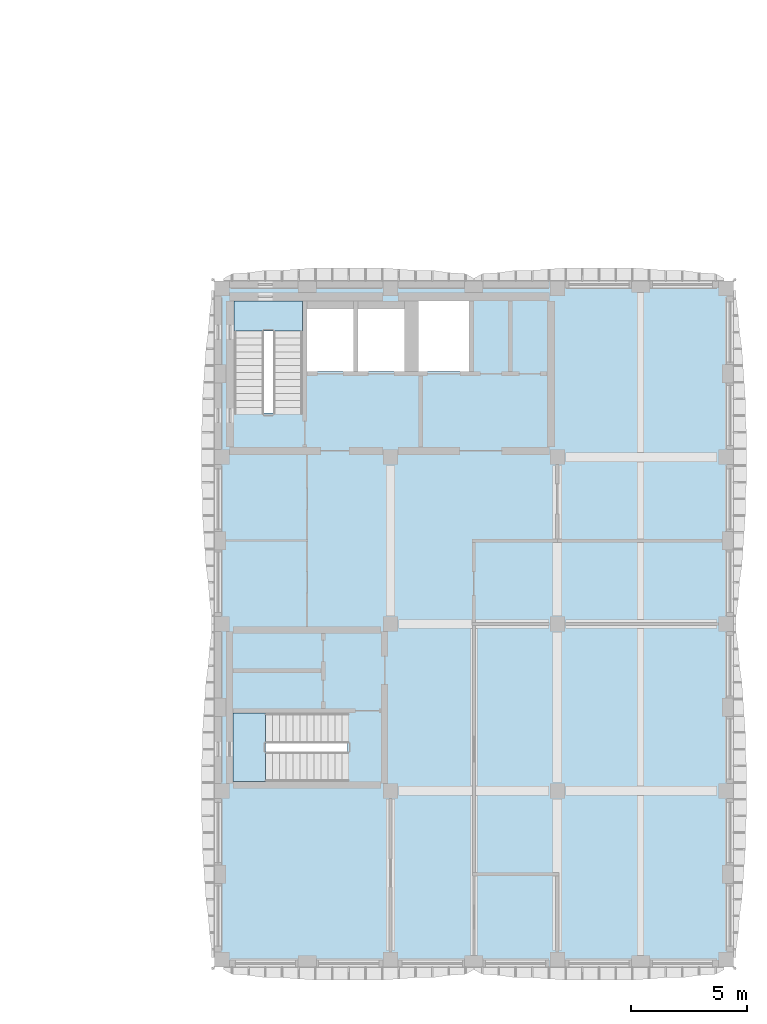
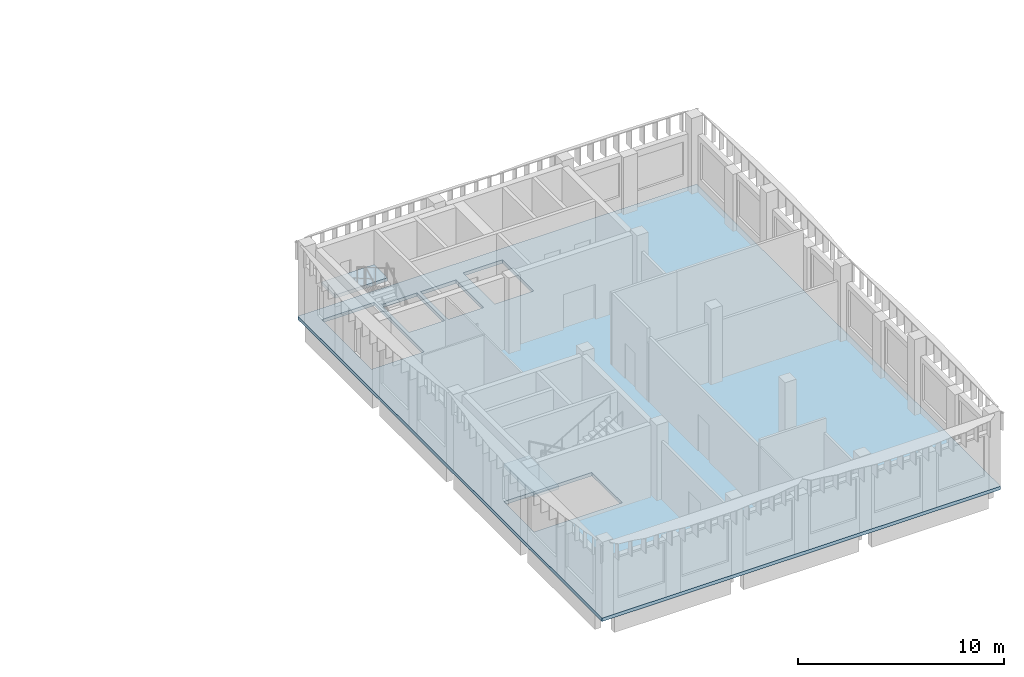
# One storey, part 10 of 30: 3 slabs, 2 elements without a shape of their own.
"""IFC4 building model written with IfcOpenShell, lengths in metres."""

from ifc_helpers import new_model, si_unit, direction, frame, origin, place, context, subcontext, project, spatial, polyline, outline, extrude, material, layer, layer_set, type_object, element, aggregate, save


model = new_model("IFC4")

# Units and contexts
model_context = context("Model", 3, precision=1e-05, world=origin(), true_north=direction((0.0, 1.0)))
body_context = subcontext(model_context, "Body", "Model", "MODEL_VIEW")
ifc_project = project(units=[si_unit("LENGTHUNIT", "METRE"), si_unit("AREAUNIT", "SQUARE_METRE"), si_unit("VOLUMEUNIT", "CUBIC_METRE"), si_unit("PLANEANGLEUNIT", "RADIAN"), si_unit("MASSUNIT", "GRAM", prefix="KILO")], contexts=[model_context])

# Site, building, storey
site_placement = place(None, origin())
site = spatial("IfcSite", under=ifc_project, at=site_placement, CompositionType="ELEMENT")
building_placement = place(site_placement, origin())
building = spatial("IfcBuilding", under=site, at=building_placement, Name="Ussher Court Research Institute", CompositionType="ELEMENT")
storey_placement = place(building_placement, frame((0.0, 0.0, 27.89990234375)))
storey = spatial("IfcBuildingStorey", under=building, at=storey_placement, Name="L06", CompositionType="ELEMENT", Elevation=27.89990234375)

# Slab
ifc_material_1 = material(Name="Concrete C35/45", Category="concrete")
ifc_layer_1 = layer(ifc_material_1, 0.199951171875)
ifc_layer_set_1 = layer_set([ifc_layer_1], Name="Concrete C35/45")
slab_type_1 = type_object("IfcSlabType", Name="Floor slab 200", PredefinedType="FLOOR", material=ifc_layer_set_1)
slab_1_placement = place(storey_placement, frame((0.0, 0.0, -0.199951171875)))
element("IfcSlab", 1, at=slab_1_placement, inside=storey, type_object=slab_type_1, Name="FS200 V4 L06-01", PredefinedType="FLOOR", context=body_context, shape_type="SweptSolid", body=[
    extrude(outline(polyline([(81.800048828125, 33.199951171875), (81.800048828125, 3.60009765625), (104.199951171875, 3.60009765625), (104.199951171875, 33.199951171875), (81.800048828125, 33.199951171875)]), holes=[polyline([(87.550048828125, 14.550048828125), (87.550048828125, 11.60009765625), (82.60009765625, 11.60009765625), (82.60009765625, 14.550048828125), (87.550048828125, 14.550048828125)]), polyline([(82.64990234375, 27.5), (82.64990234375, 32.35009765625), (85.60009765625, 32.35009765625), (85.60009765625, 27.5), (82.64990234375, 27.5)]), polyline([(87.800048828125, 29.300048828125), (85.800048828125, 29.300048828125), (85.800048828125, 32.0), (87.800048828125, 32.0), (87.800048828125, 29.300048828125)]), polyline([(90.0, 32.0), (90.0, 29.300048828125), (88.0, 29.300048828125), (88.0, 32.0), (90.0, 32.0)]), polyline([(92.800048828125, 29.300048828125), (90.60009765625, 29.300048828125), (90.60009765625, 32.35009765625), (92.800048828125, 32.35009765625), (92.800048828125, 29.300048828125)])]), origin(), (0.0, 0.0, 1.0), 0.199951171875),
])

# Stair, slab
ifc_material_2 = material(Name="Concrete C35/45", Category="concrete")
stair_type_1 = type_object("IfcStairType", Name="Core stair 26 risers 173 mm x 300 going 1280 wide", PredefinedType="HALF_TURN_STAIR", material=ifc_material_2)
stair_1_placement = place(storey_placement, origin())
stair_1 = element("IfcStair", 2, at=stair_1_placement, inside=storey, type_object=stair_type_1, Name="L06 Stair T1", PredefinedType="HALF_TURN_STAIR")
ifc_material_3 = material(Name="Concrete C35/45", Category="concrete")
ifc_layer_2 = layer(ifc_material_3, 0.199951171875)
ifc_layer_set_2 = layer_set([ifc_layer_2], Name="Concrete C35/45")
slab_type_2 = type_object("IfcSlabType", Name="Stair landing 200 RC", PredefinedType="LANDING", material=ifc_layer_set_2)
slab_2_placement = place(storey_placement, frame((0.0, 0.0, 2.050048828125)))
slab_2 = element("IfcSlab", 3, at=slab_2_placement, type_object=slab_type_2, Name="T1 landing 1", PredefinedType="LANDING", context=body_context, shape_type="SweptSolid", body=[
    extrude(outline(polyline([(85.60009765625, 31.050048828125), (85.60009765625, 32.35009765625), (82.64990234375, 32.35009765625), (82.64990234375, 31.050048828125), (85.60009765625, 31.050048828125)])), origin(), (0.0, 0.0, 1.0), 0.199951171875),
])
aggregate(stair_1, [slab_2])

ifc_material_4 = material(Name="Concrete C35/45", Category="concrete")
stair_type_2 = type_object("IfcStairType", Name="Core stair 26 risers 173 mm x 300 going 1300 wide", PredefinedType="HALF_TURN_STAIR", material=ifc_material_4)
stair_2_placement = place(storey_placement, origin())
stair_2 = element("IfcStair", 4, at=stair_2_placement, inside=storey, type_object=stair_type_2, Name="L06 Stair T2", PredefinedType="HALF_TURN_STAIR")
slab_3_placement = place(storey_placement, frame((0.0, 0.0, 2.050048828125)))
slab_3 = element("IfcSlab", 5, at=slab_3_placement, type_object=slab_type_2, Name="T2 landing 1", PredefinedType="LANDING", context=body_context, shape_type="SweptSolid", body=[
    extrude(outline(polyline([(84.0, 14.550048828125), (82.60009765625, 14.550048828125), (82.60009765625, 11.60009765625), (84.0, 11.60009765625), (84.0, 14.550048828125)])), origin(), (0.0, 0.0, 1.0), 0.199951171875),
])
aggregate(stair_2, [slab_3])

save(model, "model.ifc")
